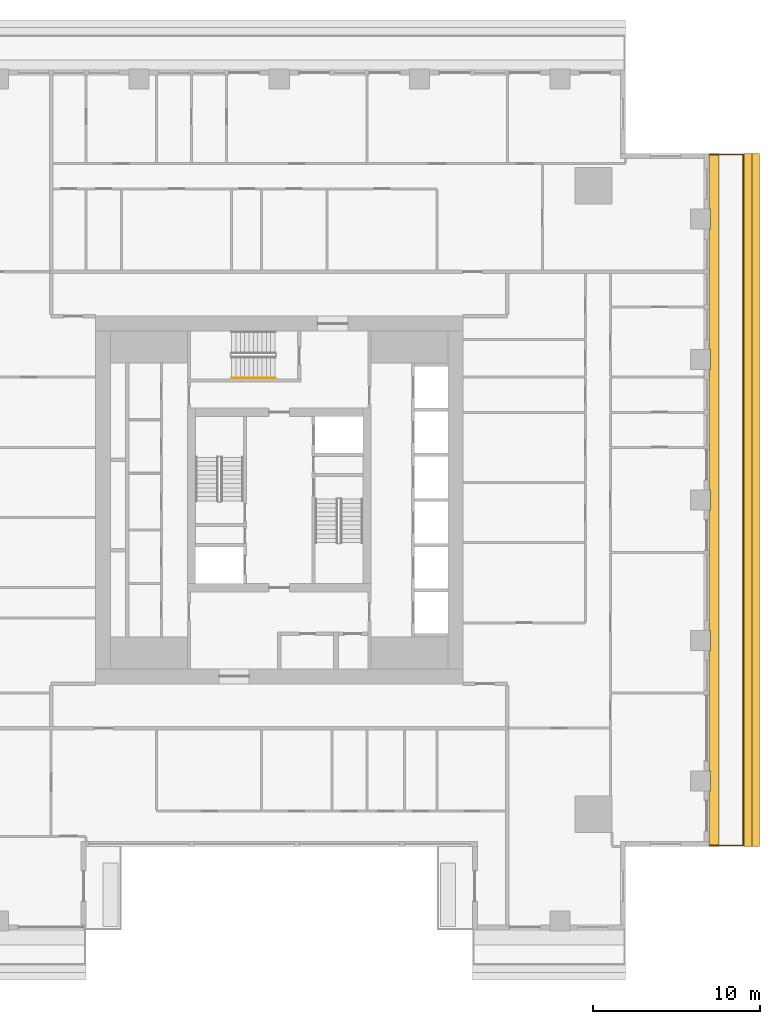
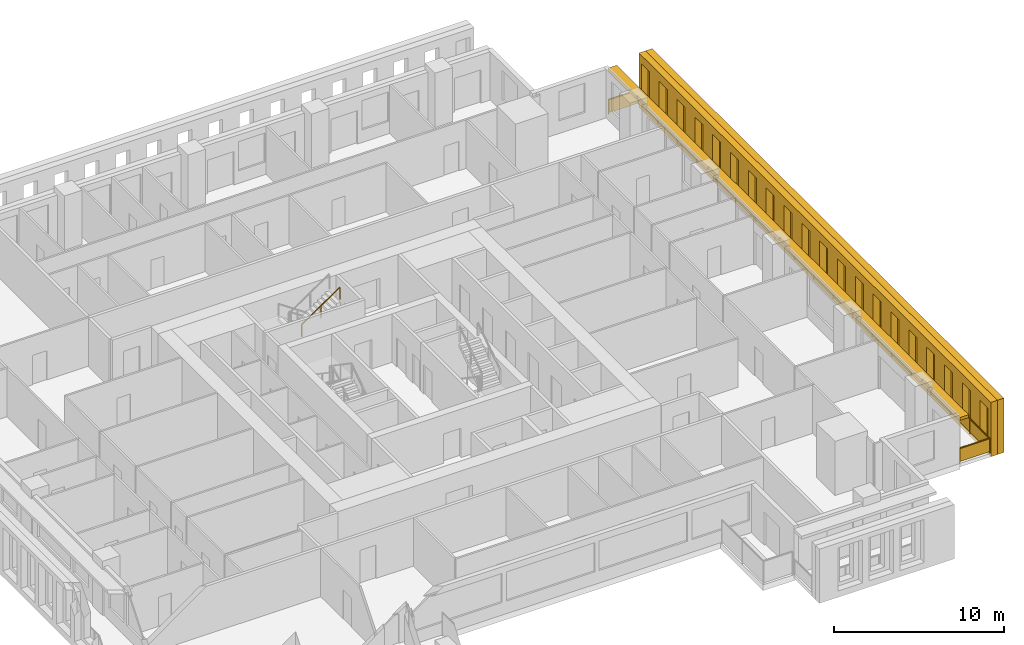
# One storey, part 12 of 14: 3 shading devices, 2 railings.
"""IFC4 building model written with IfcOpenShell, lengths in metres."""

import ifcopenshell
import ifcopenshell.guid

model = None  # the IFC model being written
_history = None  # IfcOwnerHistory: only IFC2X3 demands one
_inside = {}  # id of a spatial element -> (the spatial element, [elements in it])
_under = {}  # id of a project, library or spatial element -> (it, [spatial elements below it])
_declared = {}  # id of a project -> (the project, [libraries it declares])
_typed = {}  # id of a type object -> (the type object, [elements of that type])
_made_of = {}  # id of a material, layer set ... -> (it, [elements and type objects made of it])


def new_model(schema):
    """Start an empty IFC model of exactly this schema.

    Asked for "IFC4X3", IfcOpenShell would pick the latest addendum, in which some entities
    have other attributes; the version numbers below select the first issue.
    IFC2X3 requires an IfcOwnerHistory on every rooted entity: one is made here for all.
    """
    global model, _history
    if schema == "IFC4X3":
        model = ifcopenshell.file(schema_version=(4, 3, 0, 0))
    else:
        model = ifcopenshell.file(schema=schema)
    _inside.clear()
    _under.clear()
    _declared.clear()
    _typed.clear()
    _made_of.clear()
    _history = None
    if model.schema == "IFC2X3":
        org = make("IfcOrganization", Name="unknown")
        user = make(
            "IfcPersonAndOrganization",
            ThePerson=make("IfcPerson", FamilyName="unknown"),
            TheOrganization=org,
        )
        app = make(
            "IfcApplication",
            ApplicationDeveloper=org,
            Version="unknown",
            ApplicationFullName="unknown",
            ApplicationIdentifier="unknown",
        )
        _history = make(
            "IfcOwnerHistory",
            OwningUser=user,
            OwningApplication=app,
            ChangeAction="ADDED",
            CreationDate=0,
        )
    return model


def make(cls, **values):
    """One entity of the class cls with the attributes given. An attribute that is None is left unset."""
    return model.create_entity(
        cls, **{name: value for name, value in values.items() if value is not None}
    )


def rooted(cls, **values):
    """An entity with a GlobalId (a new one), such as an element, a storey or a relation."""
    return make(cls, GlobalId=ifcopenshell.guid.new(), OwnerHistory=_history, **values)


def si_unit(unit_type, name, prefix=None):
    """IfcSIUnit, for example si_unit("LENGTHUNIT", "METRE", prefix="MILLI")."""
    return make("IfcSIUnit", UnitType=unit_type, Prefix=prefix, Name=name)


def assignment(units):
    """IfcUnitAssignment: the units of a project."""
    return None if units is None else make("IfcUnitAssignment", Units=units)


def point(xyz):
    """IfcCartesianPoint."""
    return None if xyz is None else make("IfcCartesianPoint", Coordinates=xyz)


def direction(xyz):
    """IfcDirection."""
    return None if xyz is None else make("IfcDirection", DirectionRatios=xyz)


def frame(location, z_axis=None, x_axis=None):
    """IfcAxis2Placement3D, a coordinate frame: its origin and axes. An axis left out is left unset."""
    return make(
        "IfcAxis2Placement3D",
        Location=point(location),
        Axis=direction(z_axis),
        RefDirection=direction(x_axis),
    )


def frame_2d(location, x_axis=None):
    """IfcAxis2Placement2D, a coordinate frame in the plane: its origin and x axis."""
    return make(
        "IfcAxis2Placement2D", Location=point(location), RefDirection=direction(x_axis)
    )


def origin():
    """The frame at (0, 0, 0) with its axes left unset."""
    return frame((0.0, 0.0, 0.0))


def origin_2d():
    """The frame at (0, 0) in the plane with its x axis left unset."""
    return frame_2d((0.0, 0.0))


def place(relative_to, where):
    """IfcLocalPlacement: puts the frame where relative to a parent placement (None: the world)."""
    return make(
        "IfcLocalPlacement", PlacementRelTo=relative_to, RelativePlacement=where
    )


def context(
    kind, dimensions, precision=None, world=None, true_north=None, identifier=None
):
    """IfcGeometricRepresentationContext, for example the 3D "Model" context."""
    return make(
        "IfcGeometricRepresentationContext",
        ContextIdentifier=identifier,
        ContextType=kind,
        CoordinateSpaceDimension=dimensions,
        Precision=precision,
        WorldCoordinateSystem=world,
        TrueNorth=true_north,
    )


def subcontext(parent, identifier, kind, view, scale=None):
    """IfcGeometricRepresentationSubContext, for example "Body" below "Model"."""
    return make(
        "IfcGeometricRepresentationSubContext",
        ContextIdentifier=identifier,
        ContextType=kind,
        ParentContext=parent,
        TargetScale=scale,
        TargetView=view,
    )


def project(units=None, contexts=None):
    """IfcProject with its units and contexts."""
    return rooted(
        "IfcProject",
        Name="project",
        RepresentationContexts=contexts,
        UnitsInContext=assignment(units),
    )


def spatial(cls, under=None, at=None, **own):
    """A site, building, storey or space (cls), placed at a placement, below another one or the project."""
    s = rooted(cls, ObjectPlacement=at, **own)
    if under is not None:
        _under.setdefault(under.id(), (under, []))[1].append(s)
    return s


def polyline(points):
    """IfcPolyline through the points."""
    return make("IfcPolyline", Points=[point(p) for p in points])


def profile(cls, at=None, kind="AREA", **sizes):
    """A parametric profile (cls). Its sizes go by their IFC names, for example OverallWidth=200.0."""
    return make(cls, ProfileType=kind, Position=at, **sizes)


def rectangle(**sizes):
    """IfcRectangleProfileDef."""
    return profile("IfcRectangleProfileDef", **sizes)


def outline(outer, holes=None, kind="AREA"):
    """IfcArbitraryClosedProfileDef: a profile drawn as a closed curve; with holes, ...WithVoids."""
    if holes is None:
        return make("IfcArbitraryClosedProfileDef", ProfileType=kind, OuterCurve=outer)
    return make(
        "IfcArbitraryProfileDefWithVoids",
        ProfileType=kind,
        OuterCurve=outer,
        InnerCurves=holes,
    )


def extrude(swept, where, along, depth):
    """IfcExtrudedAreaSolid: the profile swept, set in the frame where, extruded along a direction by depth."""
    return make(
        "IfcExtrudedAreaSolid",
        SweptArea=swept,
        Position=where,
        ExtrudedDirection=direction(along),
        Depth=depth,
    )


def shape(context_of_items, identifier, shape_type, items):
    """IfcShapeRepresentation: the items that make up one representation, for example the "Body"."""
    return make(
        "IfcShapeRepresentation",
        ContextOfItems=context_of_items,
        RepresentationIdentifier=identifier,
        RepresentationType=shape_type,
        Items=items,
    )


def material(Name=None, Category=None):
    """IfcMaterial."""
    return make("IfcMaterial", Name=Name, Category=Category)


def layer(
    of_material, thickness, ventilated=None, Name=None, Category=None, Priority=None
):
    """IfcMaterialLayer: one layer of a wall or slab, of a material (None: an air gap)."""
    return make(
        "IfcMaterialLayer",
        Material=of_material,
        LayerThickness=thickness,
        IsVentilated=ventilated,
        Name=Name,
        Category=Category,
        Priority=Priority,
    )


def layer_set(layers, Name=None):
    """IfcMaterialLayerSet."""
    return make("IfcMaterialLayerSet", MaterialLayers=layers, LayerSetName=Name)


def made_of(thing, what):
    """Note that an element or type object is made of a material, layer set ...; save() writes the relation."""
    if what is not None:
        _made_of.setdefault(what.id(), (what, []))[1].append(thing)
    return thing


def type_object(cls, material=None, **own):
    """A type object (cls), such as IfcWallType, which elements share."""
    return made_of(rooted(cls, **own), material)


def element(
    cls,
    number,
    at=None,
    inside=None,
    cuts=None,
    type_object=None,
    material=None,
    context=None,
    identifier="Body",
    shape_type=None,
    held_by="IfcProductDefinitionShape",
    body=None,
    shapes=None,
    **own,
):
    """One element of the class cls, such as IfcWall. Its Tag is "e" and its number.

    at: its placement. inside: the storey or other place that contains it. cuts: it is an
    opening in that element (IfcRelVoidsElement). A single representation is given by context,
    identifier, shape_type and body (its items); several are given by shapes. held_by: the class
    of the entity that holds the representations. save() writes the other relations.
    """
    e = rooted(cls, Tag="e%d" % number, ObjectPlacement=at, **own)
    if body is not None:
        shapes = [shape(context, identifier, shape_type, body)]
    if shapes is not None:
        e.Representation = make(held_by, Representations=shapes)
    if inside is not None:
        _inside.setdefault(inside.id(), (inside, []))[1].append(e)
    if cuts is not None:
        rooted(
            "IfcRelVoidsElement", RelatingBuildingElement=cuts, RelatedOpeningElement=e
        )
    if type_object is not None:
        _typed.setdefault(type_object.id(), (type_object, []))[1].append(e)
    return made_of(e, material)


def aggregate(whole, parts):
    """IfcRelAggregates: a whole, such as a stair, and the parts it consists of."""
    return rooted("IfcRelAggregates", RelatingObject=whole, RelatedObjects=parts)


def save(model, path):
    """Write the relations noted so far, then the file.

    IfcRelAggregates (storeys below a building ...), IfcRelContainedInSpatialStructure (elements
    in a storey), IfcRelDefinesByType, IfcRelAssociatesMaterial and IfcRelDeclares: one each for
    every whole, place, type object, material and project.
    """
    for whole, parts in _under.values():
        aggregate(whole, parts)
    for where, things in _inside.values():
        rooted(
            "IfcRelContainedInSpatialStructure",
            RelatedElements=things,
            RelatingStructure=where,
        )
    for kind, things in _typed.values():
        rooted("IfcRelDefinesByType", RelatedObjects=things, RelatingType=kind)
    for what, things in _made_of.values():
        rooted("IfcRelAssociatesMaterial", RelatedObjects=things, RelatingMaterial=what)
    for by, libraries in _declared.values():
        rooted("IfcRelDeclares", RelatingContext=by, RelatedDefinitions=libraries)
    model.write(path)


model = new_model("IFC4")

# Units and contexts
model_context = context("Model", 3, precision=1e-05, world=origin(), true_north=direction((0.0, 1.0)))
body_context = subcontext(model_context, "Body", "Model", "MODEL_VIEW")
ifc_project = project(units=[si_unit("LENGTHUNIT", "METRE"), si_unit("AREAUNIT", "SQUARE_METRE"), si_unit("VOLUMEUNIT", "CUBIC_METRE"), si_unit("PLANEANGLEUNIT", "RADIAN"), si_unit("MASSUNIT", "GRAM", prefix="KILO")], contexts=[model_context])

# Site, building, storey
site_placement = place(None, origin())
site = spatial("IfcSite", under=ifc_project, at=site_placement, CompositionType="ELEMENT")
building_placement = place(site_placement, origin())
building = spatial("IfcBuilding", under=site, at=building_placement, Name="Khepri Terraces", CompositionType="ELEMENT")
storey_placement = place(building_placement, frame((0.0, 0.0, 271.800048828125)))
storey = spatial("IfcBuildingStorey", under=building, at=storey_placement, Name="L65", CompositionType="ELEMENT", Elevation=271.800048828125)

# Railings
ifc_material_1 = material(Name="Stainless steel grade 316", Category="steel")
railing_type_1 = type_object("IfcRailingType", Name="GRD-BAL-1100", PredefinedType="GUARDRAIL", material=ifc_material_1)
railing_1_placement = place(storey_placement, frame((25.719970703125, -20.669921875, 0.0)))
element("IfcRailing", 1, at=railing_1_placement, inside=storey, type_object=railing_type_1, Name="Balcony guard L65 E", PredefinedType="GUARDRAIL", context=body_context, shape_type="SweptSolid", body=[
    extrude(rectangle(XDim=0.050048828125, YDim=0.06005859375, at=origin_2d()), frame((0.0, 0.0, 1.070068359375), z_axis=(1.0, 0.0, 0.0), x_axis=(0.0, 1.0, 0.0)), (0.0, 0.0, 1.0), 2.050048828125),
    extrude(rectangle(XDim=2.0, YDim=0.011962890625, at=origin_2d()), frame((1.02490234375, 0.0, 0.10009765625), z_axis=(0.0, 0.0, 1.0), x_axis=(1.0, 0.0, 0.0)), (0.0, 0.0, 1.0), 0.93994140625),
    extrude(rectangle(XDim=0.050048828125, YDim=0.06005859375, at=origin_2d()), frame((2.050048828125, 0.0, 1.070068359375), z_axis=(0.0, 1.0, 0.0), x_axis=(-1.0, 0.0, 0.0)), (0.0, 0.0, 1.0), 41.33984375),
    extrude(rectangle(XDim=2.24658203125, YDim=0.011962890625, at=origin_2d()), frame((2.050048828125, 1.1484375, 0.10009765625), z_axis=(0.0, 0.0, 1.0), x_axis=(0.0, 1.0, 0.0)), (0.0, 0.0, 1.0), 0.93994140625),
    extrude(rectangle(XDim=2.24658203125, YDim=0.011962890625, at=origin_2d()), frame((2.050048828125, 3.445068359375, 0.10009765625), z_axis=(0.0, 0.0, 1.0), x_axis=(0.0, 1.0, 0.0)), (0.0, 0.0, 1.0), 0.93994140625),
    extrude(rectangle(XDim=2.24658203125, YDim=0.011962890625, at=origin_2d()), frame((2.050048828125, 5.74169921875, 0.10009765625), z_axis=(0.0, 0.0, 1.0), x_axis=(0.0, 1.0, 0.0)), (0.0, 0.0, 1.0), 0.93994140625),
    extrude(rectangle(XDim=2.24658203125, YDim=0.011962890625, at=origin_2d()), frame((2.050048828125, 8.038330078125, 0.10009765625), z_axis=(0.0, 0.0, 1.0), x_axis=(0.0, 1.0, 0.0)), (0.0, 0.0, 1.0), 0.93994140625),
    extrude(rectangle(XDim=2.24658203125, YDim=0.011962890625, at=origin_2d()), frame((2.050048828125, 10.3349609375, 0.10009765625), z_axis=(0.0, 0.0, 1.0), x_axis=(0.0, 1.0, 0.0)), (0.0, 0.0, 1.0), 0.93994140625),
    extrude(rectangle(XDim=2.24658203125, YDim=0.011962890625, at=origin_2d()), frame((2.050048828125, 12.631591796875, 0.10009765625), z_axis=(0.0, 0.0, 1.0), x_axis=(0.0, 1.0, 0.0)), (0.0, 0.0, 1.0), 0.93994140625),
    extrude(rectangle(XDim=2.24658203125, YDim=0.011962890625, at=origin_2d()), frame((2.050048828125, 14.92822265625, 0.10009765625), z_axis=(0.0, 0.0, 1.0), x_axis=(0.0, 1.0, 0.0)), (0.0, 0.0, 1.0), 0.93994140625),
    extrude(rectangle(XDim=2.24658203125, YDim=0.011962890625, at=origin_2d()), frame((2.050048828125, 17.224853515625, 0.10009765625), z_axis=(0.0, 0.0, 1.0), x_axis=(0.0, 1.0, 0.0)), (0.0, 0.0, 1.0), 0.93994140625),
    extrude(rectangle(XDim=2.24658203125, YDim=0.011962890625, at=origin_2d()), frame((2.050048828125, 19.521484375, 0.10009765625), z_axis=(0.0, 0.0, 1.0), x_axis=(0.0, 1.0, 0.0)), (0.0, 0.0, 1.0), 0.93994140625),
    extrude(rectangle(XDim=2.24658203125, YDim=0.011962890625, at=origin_2d()), frame((2.050048828125, 21.818359375, 0.10009765625), z_axis=(0.0, 0.0, 1.0), x_axis=(0.0, 1.0, 0.0)), (0.0, 0.0, 1.0), 0.93994140625),
    extrude(rectangle(XDim=2.24658203125, YDim=0.011962890625, at=origin_2d()), frame((2.050048828125, 24.114990234375, 0.10009765625), z_axis=(0.0, 0.0, 1.0), x_axis=(0.0, 1.0, 0.0)), (0.0, 0.0, 1.0), 0.93994140625),
    extrude(rectangle(XDim=2.24658203125, YDim=0.011962890625, at=origin_2d()), frame((2.050048828125, 26.41162109375, 0.10009765625), z_axis=(0.0, 0.0, 1.0), x_axis=(0.0, 1.0, 0.0)), (0.0, 0.0, 1.0), 0.93994140625),
    extrude(rectangle(XDim=2.24658203125, YDim=0.011962890625, at=origin_2d()), frame((2.050048828125, 28.708251953125, 0.10009765625), z_axis=(0.0, 0.0, 1.0), x_axis=(0.0, 1.0, 0.0)), (0.0, 0.0, 1.0), 0.93994140625),
    extrude(rectangle(XDim=2.24658203125, YDim=0.011962890625, at=origin_2d()), frame((2.050048828125, 31.0048828125, 0.10009765625), z_axis=(0.0, 0.0, 1.0), x_axis=(0.0, 1.0, 0.0)), (0.0, 0.0, 1.0), 0.93994140625),
    extrude(rectangle(XDim=2.24658203125, YDim=0.011962890625, at=origin_2d()), frame((2.050048828125, 33.301513671875, 0.10009765625), z_axis=(0.0, 0.0, 1.0), x_axis=(0.0, 1.0, 0.0)), (0.0, 0.0, 1.0), 0.93994140625),
    extrude(rectangle(XDim=2.24658203125, YDim=0.011962890625, at=origin_2d()), frame((2.050048828125, 35.59814453125, 0.10009765625), z_axis=(0.0, 0.0, 1.0), x_axis=(0.0, 1.0, 0.0)), (0.0, 0.0, 1.0), 0.93994140625),
    extrude(rectangle(XDim=2.24658203125, YDim=0.011962890625, at=origin_2d()), frame((2.050048828125, 37.894775390625, 0.10009765625), z_axis=(0.0, 0.0, 1.0), x_axis=(0.0, 1.0, 0.0)), (0.0, 0.0, 1.0), 0.93994140625),
    extrude(rectangle(XDim=2.24658203125, YDim=0.011962890625, at=origin_2d()), frame((2.050048828125, 40.19140625, 0.10009765625), z_axis=(0.0, 0.0, 1.0), x_axis=(0.0, 1.0, 0.0)), (0.0, 0.0, 1.0), 0.93994140625),
    extrude(rectangle(XDim=0.050048828125, YDim=0.06005859375, at=origin_2d()), frame((2.050048828125, 41.33984375, 1.070068359375), z_axis=(-1.0, 0.0, 0.0), x_axis=(0.0, -1.0, 0.0)), (0.0, 0.0, 1.0), 2.050048828125),
    extrude(rectangle(XDim=2.0, YDim=0.011962890625, at=origin_2d()), frame((1.02490234375, 41.33984375, 0.10009765625), z_axis=(0.0, 0.0, 1.0), x_axis=(-1.0, 0.0, 0.0)), (0.0, 0.0, 1.0), 0.93994140625),
    extrude(rectangle(XDim=0.050048828125, YDim=0.050048828125, at=origin_2d()), origin(), (0.0, 0.0, 1.0), 1.0400390625),
    extrude(rectangle(XDim=0.050048828125, YDim=0.050048828125, at=origin_2d()), frame((2.050048828125, 0.0, 0.0)), (0.0, 0.0, 1.0), 1.0400390625),
    extrude(rectangle(XDim=0.050048828125, YDim=0.050048828125, at=origin_2d()), frame((2.050048828125, 2.296630859375, 0.0)), (0.0, 0.0, 1.0), 1.0400390625),
    extrude(rectangle(XDim=0.050048828125, YDim=0.050048828125, at=origin_2d()), frame((2.050048828125, 4.59326171875, 0.0)), (0.0, 0.0, 1.0), 1.0400390625),
    extrude(rectangle(XDim=0.050048828125, YDim=0.050048828125, at=origin_2d()), frame((2.050048828125, 6.889892578125, 0.0)), (0.0, 0.0, 1.0), 1.0400390625),
    extrude(rectangle(XDim=0.050048828125, YDim=0.050048828125, at=origin_2d()), frame((2.050048828125, 9.1865234375, 0.0)), (0.0, 0.0, 1.0), 1.0400390625),
    extrude(rectangle(XDim=0.050048828125, YDim=0.050048828125, at=origin_2d()), frame((2.050048828125, 11.4833984375, 0.0)), (0.0, 0.0, 1.0), 1.0400390625),
    extrude(rectangle(XDim=0.050048828125, YDim=0.050048828125, at=origin_2d()), frame((2.050048828125, 13.780029296875, 0.0)), (0.0, 0.0, 1.0), 1.0400390625),
    extrude(rectangle(XDim=0.050048828125, YDim=0.050048828125, at=origin_2d()), frame((2.050048828125, 16.07666015625, 0.0)), (0.0, 0.0, 1.0), 1.0400390625),
    extrude(rectangle(XDim=0.050048828125, YDim=0.050048828125, at=origin_2d()), frame((2.050048828125, 18.373291015625, 0.0)), (0.0, 0.0, 1.0), 1.0400390625),
    extrude(rectangle(XDim=0.050048828125, YDim=0.050048828125, at=origin_2d()), frame((2.050048828125, 20.669921875, 0.0)), (0.0, 0.0, 1.0), 1.0400390625),
    extrude(rectangle(XDim=0.050048828125, YDim=0.050048828125, at=origin_2d()), frame((2.050048828125, 22.966552734375, 0.0)), (0.0, 0.0, 1.0), 1.0400390625),
    extrude(rectangle(XDim=0.050048828125, YDim=0.050048828125, at=origin_2d()), frame((2.050048828125, 25.26318359375, 0.0)), (0.0, 0.0, 1.0), 1.0400390625),
    extrude(rectangle(XDim=0.050048828125, YDim=0.050048828125, at=origin_2d()), frame((2.050048828125, 27.559814453125, 0.0)), (0.0, 0.0, 1.0), 1.0400390625),
    extrude(rectangle(XDim=0.050048828125, YDim=0.050048828125, at=origin_2d()), frame((2.050048828125, 29.8564453125, 0.0)), (0.0, 0.0, 1.0), 1.0400390625),
    extrude(rectangle(XDim=0.050048828125, YDim=0.050048828125, at=origin_2d()), frame((2.050048828125, 32.1533203125, 0.0)), (0.0, 0.0, 1.0), 1.0400390625),
    extrude(rectangle(XDim=0.050048828125, YDim=0.050048828125, at=origin_2d()), frame((2.050048828125, 34.449951171875, 0.0)), (0.0, 0.0, 1.0), 1.0400390625),
    extrude(rectangle(XDim=0.050048828125, YDim=0.050048828125, at=origin_2d()), frame((2.050048828125, 36.74658203125, 0.0)), (0.0, 0.0, 1.0), 1.0400390625),
    extrude(rectangle(XDim=0.050048828125, YDim=0.050048828125, at=origin_2d()), frame((2.050048828125, 39.043212890625, 0.0)), (0.0, 0.0, 1.0), 1.0400390625),
    extrude(rectangle(XDim=0.050048828125, YDim=0.050048828125, at=origin_2d()), frame((2.050048828125, 41.33984375, 0.0)), (0.0, 0.0, 1.0), 1.0400390625),
    extrude(rectangle(XDim=0.050048828125, YDim=0.050048828125, at=origin_2d()), frame((0.0, 41.33984375, 0.0)), (0.0, 0.0, 1.0), 1.0400390625),
])
ifc_material_2 = material(Name="Stainless steel 316", Category="steel")
railing_type_2 = type_object("IfcRailingType", Name="RL-CORE-HANDRAIL", PredefinedType="HANDRAIL", material=ifc_material_2)
railing_2_placement = place(storey_placement, frame((-2.85009765625, 7.300048828125, 2.127197265625)))
element("IfcRailing", 2, at=railing_2_placement, inside=storey, type_object=railing_type_2, Name="L65 ST-3 stair handrail 2", PredefinedType="HANDRAIL", context=body_context, shape_type="SweptSolid", body=[
    extrude(rectangle(XDim=0.050048828125, YDim=0.050048828125, at=origin_2d()), frame((0.0, 0.0, 0.875), z_axis=(0.826240473404, 0.0, 0.563317565952), x_axis=(0.0, 1.0, 0.0)), (0.0, 0.0, 1.0), 3.14697265625),
    extrude(rectangle(XDim=0.050048828125, YDim=0.050048828125, at=origin_2d()), origin(), (0.0, 0.0, 1.0), 0.849853515625),
    extrude(rectangle(XDim=0.050048828125, YDim=0.050048828125, at=origin_2d()), frame((1.300048828125, 0.0, 0.88623046875)), (0.0, 0.0, 1.0), 0.849853515625),
    extrude(rectangle(XDim=0.050048828125, YDim=0.050048828125, at=origin_2d()), frame((2.60009765625, 0.0, 1.772705078125)), (0.0, 0.0, 1.0), 0.849853515625),
])

# Shading devices
ifc_material_3 = material(Name="Precast concrete C50/60 warm stone", Category="masonry")
shading_device_type_1 = type_object("IfcShadingDeviceType", Name="SCR-CELL-INNER-450", PredefinedType="USERDEFINED", material=ifc_material_3)
shading_device_1_placement = place(storey_placement, frame((27.820068359375, -20.719970703125, -0.25), z_axis=(1.0, 0.0, 0.0), x_axis=(0.0, 1.0, 0.0)))
element("IfcShadingDevice", 3, at=shading_device_1_placement, inside=storey, type_object=shading_device_type_1, Name="Cell screen L65 E in", ObjectType="SCREEN", PredefinedType="USERDEFINED", context=body_context, shape_type="SweptSolid", body=[
    extrude(outline(polyline([(0.0, 0.0), (41.43994140625, 0.0), (41.43994140625, 3.89990234375), (0.0, 3.89990234375), (0.0, 0.0)]), holes=[polyline([(0.297607421875, 0.699951171875), (1.242431640625, 0.699951171875), (1.242431640625, 3.300048828125), (0.297607421875, 3.300048828125), (0.297607421875, 0.699951171875)]), polyline([(2.3974609375, 0.699951171875), (3.342529296875, 0.699951171875), (3.342529296875, 3.300048828125), (2.3974609375, 3.300048828125), (2.3974609375, 0.699951171875)]), polyline([(4.49755859375, 0.699951171875), (5.4423828125, 0.699951171875), (5.4423828125, 3.300048828125), (4.49755859375, 3.300048828125), (4.49755859375, 0.699951171875)]), polyline([(6.597412109375, 0.699951171875), (7.54248046875, 0.699951171875), (7.54248046875, 3.300048828125), (6.597412109375, 3.300048828125), (6.597412109375, 0.699951171875)]), polyline([(8.697509765625, 0.699951171875), (9.642578125, 0.699951171875), (9.642578125, 3.300048828125), (8.697509765625, 3.300048828125), (8.697509765625, 0.699951171875)]), polyline([(10.797607421875, 0.699951171875), (11.742431640625, 0.699951171875), (11.742431640625, 3.300048828125), (10.797607421875, 3.300048828125), (10.797607421875, 0.699951171875)]), polyline([(12.8974609375, 0.699951171875), (13.842529296875, 0.699951171875), (13.842529296875, 3.300048828125), (12.8974609375, 3.300048828125), (12.8974609375, 0.699951171875)]), polyline([(14.99755859375, 0.699951171875), (15.9423828125, 0.699951171875), (15.9423828125, 3.300048828125), (14.99755859375, 3.300048828125), (14.99755859375, 0.699951171875)]), polyline([(17.097412109375, 0.699951171875), (18.04248046875, 0.699951171875), (18.04248046875, 3.300048828125), (17.097412109375, 3.300048828125), (17.097412109375, 0.699951171875)]), polyline([(19.197509765625, 0.699951171875), (20.142578125, 0.699951171875), (20.142578125, 3.300048828125), (19.197509765625, 3.300048828125), (19.197509765625, 0.699951171875)]), polyline([(21.297607421875, 0.699951171875), (22.242431640625, 0.699951171875), (22.242431640625, 3.300048828125), (21.297607421875, 3.300048828125), (21.297607421875, 0.699951171875)]), polyline([(23.3974609375, 0.699951171875), (24.342529296875, 0.699951171875), (24.342529296875, 3.300048828125), (23.3974609375, 3.300048828125), (23.3974609375, 0.699951171875)]), polyline([(25.49755859375, 0.699951171875), (26.4423828125, 0.699951171875), (26.4423828125, 3.300048828125), (25.49755859375, 3.300048828125), (25.49755859375, 0.699951171875)]), polyline([(27.597412109375, 0.699951171875), (28.54248046875, 0.699951171875), (28.54248046875, 3.300048828125), (27.597412109375, 3.300048828125), (27.597412109375, 0.699951171875)]), polyline([(29.697509765625, 0.699951171875), (30.642578125, 0.699951171875), (30.642578125, 3.300048828125), (29.697509765625, 3.300048828125), (29.697509765625, 0.699951171875)]), polyline([(31.797607421875, 0.699951171875), (32.742431640625, 0.699951171875), (32.742431640625, 3.300048828125), (31.797607421875, 3.300048828125), (31.797607421875, 0.699951171875)]), polyline([(33.8974609375, 0.699951171875), (34.842529296875, 0.699951171875), (34.842529296875, 3.300048828125), (33.8974609375, 3.300048828125), (33.8974609375, 0.699951171875)]), polyline([(35.99755859375, 0.699951171875), (36.9423828125, 0.699951171875), (36.9423828125, 3.300048828125), (35.99755859375, 3.300048828125), (35.99755859375, 0.699951171875)]), polyline([(38.097412109375, 0.699951171875), (39.04248046875, 0.699951171875), (39.04248046875, 3.300048828125), (38.097412109375, 3.300048828125), (38.097412109375, 0.699951171875)]), polyline([(40.197509765625, 0.699951171875), (41.142578125, 0.699951171875), (41.142578125, 3.300048828125), (40.197509765625, 3.300048828125), (40.197509765625, 0.699951171875)])]), origin(), (0.0, 0.0, 1.0), 0.449951171875),
])
shading_device_type_2 = type_object("IfcShadingDeviceType", Name="SCR-CELL-OUTER-450", PredefinedType="USERDEFINED", material=ifc_material_3)
shading_device_2_placement = place(storey_placement, frame((28.27001953125, -20.719970703125, -0.25), z_axis=(1.0, 0.0, 0.0), x_axis=(0.0, 1.0, 0.0)))
element("IfcShadingDevice", 4, at=shading_device_2_placement, inside=storey, type_object=shading_device_type_2, Name="Cell screen L65 E out", ObjectType="SCREEN", PredefinedType="USERDEFINED", context=body_context, shape_type="SweptSolid", body=[
    extrude(outline(polyline([(0.0, 0.0), (41.43994140625, 0.0), (41.43994140625, 3.89990234375), (0.0, 3.89990234375), (0.0, 0.0)]), holes=[polyline([(2.047607421875, 0.449951171875), (3.6923828125, 0.449951171875), (3.6923828125, 3.550048828125), (2.047607421875, 3.550048828125), (2.047607421875, 0.449951171875)]), polyline([(4.1474609375, 0.449951171875), (5.79248046875, 0.449951171875), (5.79248046875, 3.550048828125), (4.1474609375, 3.550048828125), (4.1474609375, 0.449951171875)]), polyline([(6.24755859375, 0.449951171875), (7.892578125, 0.449951171875), (7.892578125, 3.550048828125), (6.24755859375, 3.550048828125), (6.24755859375, 0.449951171875)]), polyline([(8.347412109375, 0.449951171875), (9.992431640625, 0.449951171875), (9.992431640625, 3.550048828125), (8.347412109375, 3.550048828125), (8.347412109375, 0.449951171875)]), polyline([(10.447509765625, 0.449951171875), (12.092529296875, 0.449951171875), (12.092529296875, 3.550048828125), (10.447509765625, 3.550048828125), (10.447509765625, 0.449951171875)]), polyline([(12.547607421875, 0.449951171875), (14.1923828125, 0.449951171875), (14.1923828125, 3.550048828125), (12.547607421875, 3.550048828125), (12.547607421875, 0.449951171875)]), polyline([(14.6474609375, 0.449951171875), (16.29248046875, 0.449951171875), (16.29248046875, 3.550048828125), (14.6474609375, 3.550048828125), (14.6474609375, 0.449951171875)]), polyline([(16.74755859375, 0.449951171875), (18.392578125, 0.449951171875), (18.392578125, 3.550048828125), (16.74755859375, 3.550048828125), (16.74755859375, 0.449951171875)]), polyline([(18.847412109375, 0.449951171875), (20.492431640625, 0.449951171875), (20.492431640625, 3.550048828125), (18.847412109375, 3.550048828125), (18.847412109375, 0.449951171875)]), polyline([(20.947509765625, 0.449951171875), (22.592529296875, 0.449951171875), (22.592529296875, 3.550048828125), (20.947509765625, 3.550048828125), (20.947509765625, 0.449951171875)]), polyline([(23.047607421875, 0.449951171875), (24.6923828125, 0.449951171875), (24.6923828125, 3.550048828125), (23.047607421875, 3.550048828125), (23.047607421875, 0.449951171875)]), polyline([(25.1474609375, 0.449951171875), (26.79248046875, 0.449951171875), (26.79248046875, 3.550048828125), (25.1474609375, 3.550048828125), (25.1474609375, 0.449951171875)]), polyline([(27.24755859375, 0.449951171875), (28.892578125, 0.449951171875), (28.892578125, 3.550048828125), (27.24755859375, 3.550048828125), (27.24755859375, 0.449951171875)]), polyline([(29.347412109375, 0.449951171875), (30.992431640625, 0.449951171875), (30.992431640625, 3.550048828125), (29.347412109375, 3.550048828125), (29.347412109375, 0.449951171875)]), polyline([(31.447509765625, 0.449951171875), (33.092529296875, 0.449951171875), (33.092529296875, 3.550048828125), (31.447509765625, 3.550048828125), (31.447509765625, 0.449951171875)]), polyline([(33.547607421875, 0.449951171875), (35.1923828125, 0.449951171875), (35.1923828125, 3.550048828125), (33.547607421875, 3.550048828125), (33.547607421875, 0.449951171875)]), polyline([(35.6474609375, 0.449951171875), (37.29248046875, 0.449951171875), (37.29248046875, 3.550048828125), (35.6474609375, 3.550048828125), (35.6474609375, 0.449951171875)]), polyline([(37.74755859375, 0.449951171875), (39.392578125, 0.449951171875), (39.392578125, 3.550048828125), (37.74755859375, 3.550048828125), (37.74755859375, 0.449951171875)])]), origin(), (0.0, 0.0, 1.0), 0.449951171875),
])
ifc_layer = layer(ifc_material_3, 0.199951171875, Name="Precast concrete C50/60 warm stone", Category="masonry")
ifc_layer_set = layer_set([ifc_layer], Name="Precast concrete C50/60 warm stone")
shading_device_type_3 = type_object("IfcShadingDeviceType", Name="SSH-BAND-STONE-200-N", PredefinedType="USERDEFINED", material=ifc_layer_set)
shading_device_3_placement = place(storey_placement, frame((0.0, 0.0, 3.099853515625)))
element("IfcShadingDevice", 5, at=shading_device_3_placement, inside=storey, type_object=shading_device_type_3, Name="Sunshade band L65 E", ObjectType="SUNSHADE", PredefinedType="USERDEFINED", context=body_context, shape_type="SweptSolid", body=[
    extrude(outline(polyline([(25.719970703125, -17.39990234375), (25.719970703125, -20.719970703125), (26.320068359375, -20.719970703125), (26.320068359375, 20.719970703125), (25.719970703125, 20.719970703125), (25.719970703125, 17.39990234375), (25.800048828125, 17.39990234375), (25.800048828125, 16.199951171875), (25.719970703125, 16.199951171875), (25.719970703125, 9.0), (25.800048828125, 9.0), (25.800048828125, 7.800048828125), (25.719970703125, 7.800048828125), (25.719970703125, 0.60009765625), (25.800048828125, 0.60009765625), (25.800048828125, -0.60009765625), (25.719970703125, -0.60009765625), (25.719970703125, -7.800048828125), (25.800048828125, -7.800048828125), (25.800048828125, -9.0), (25.719970703125, -9.0), (25.719970703125, -16.199951171875), (25.800048828125, -16.199951171875), (25.800048828125, -17.39990234375), (25.719970703125, -17.39990234375)])), origin(), (0.0, 0.0, 1.0), 0.2001953125),
])

save(model, "model.ifc")
